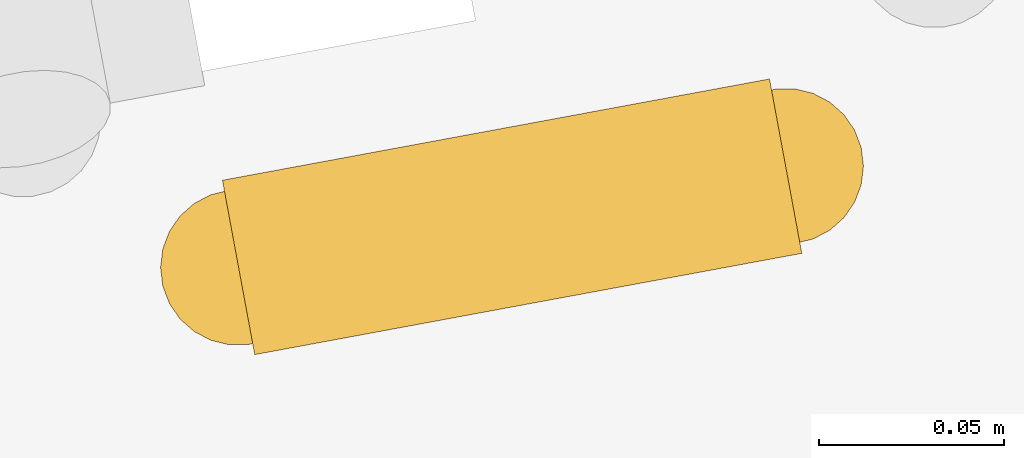
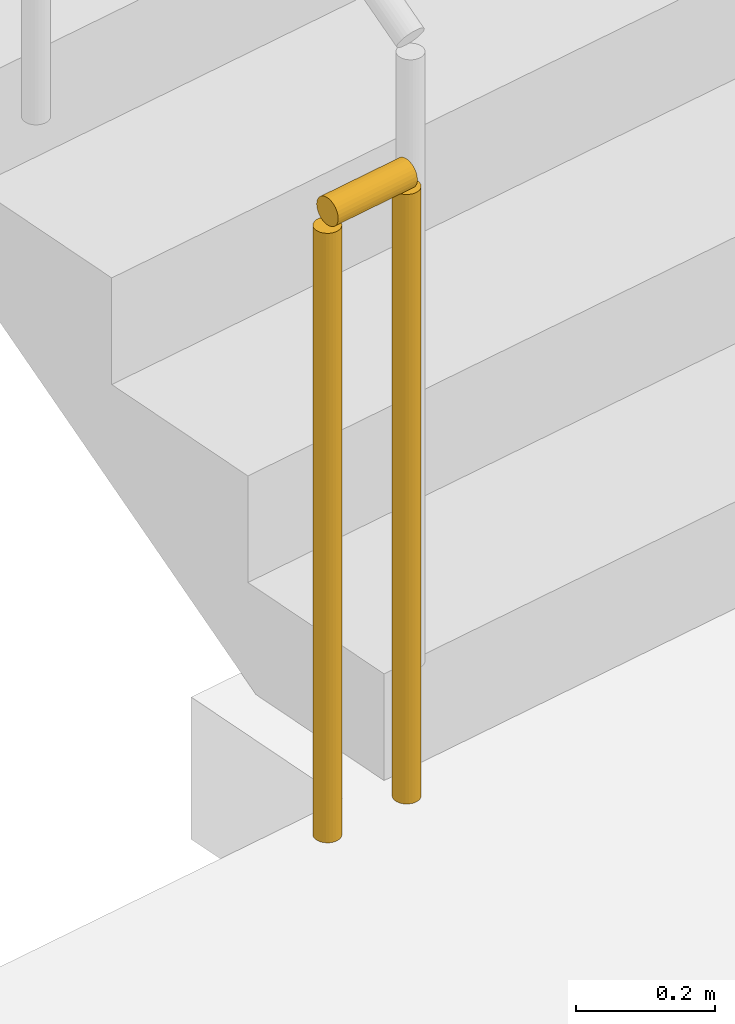
# One storey, part 116 of 141: 1 railing.
"""IFC4 building model written with IfcOpenShell, lengths in metres."""

from ifc_helpers import new_model, si_unit, direction, frame, origin, origin_2d, place, context, subcontext, project, spatial, circle, extrude, material, type_object, element, save


model = new_model("IFC4")

# Units and contexts
model_context = context("Model", 3, precision=1e-05, world=origin(), true_north=direction((0.0, 1.0)))
body_context = subcontext(model_context, "Body", "Model", "MODEL_VIEW")
ifc_project = project(units=[si_unit("LENGTHUNIT", "METRE"), si_unit("AREAUNIT", "SQUARE_METRE"), si_unit("VOLUMEUNIT", "CUBIC_METRE"), si_unit("PLANEANGLEUNIT", "RADIAN"), si_unit("MASSUNIT", "GRAM", prefix="KILO")], contexts=[model_context])

# Site, building, storey
site_placement = place(None, origin())
site = spatial("IfcSite", under=ifc_project, at=site_placement, CompositionType="ELEMENT")
building_placement = place(site_placement, origin())
building = spatial("IfcBuilding", under=site, at=building_placement, Name="Mphavela Belvedere Stadium", CompositionType="ELEMENT")
storey_placement = place(building_placement, frame((0.0, 0.0, 14.699951171875)))
storey = spatial("IfcBuildingStorey", under=building, at=storey_placement, Name="L03", CompositionType="ELEMENT", Elevation=14.699951171875)

# Railing
ifc_material = material(Name="Painted galvanised steel stair guardrail", Category="steel")
railing_type = type_object("IfcRailingType", Name="RAL-GUARD-1120", PredefinedType="GUARDRAIL", material=ifc_material)
railing_placement = place(storey_placement, frame((18.22998046875, 62.853271484375, 0.0)))
element("IfcRailing", 1, at=railing_placement, inside=storey, type_object=railing_type, Name="L03 ST-C09 stair guard 4", PredefinedType="GUARDRAIL", context=body_context, shape_type="SweptSolid", body=[
    extrude(circle(Radius=0.02392578125, at=origin_2d()), frame((0.0, 0.0, 1.09619140625), z_axis=(-0.983292780963, -0.182031060277, 0.0), x_axis=(0.182031060277, -0.983292780963, 0.0)), (0.0, 0.0, 1.0), 0.150146484375),
    extrude(circle(Radius=0.02099609375, at=origin_2d()), origin(), (0.0, 0.0, 1.0), 1.072021484375),
    extrude(circle(Radius=0.02099609375, at=origin_2d()), frame((-0.147705078125, -0.02734375, 0.0)), (0.0, 0.0, 1.0), 1.072021484375),
])

save(model, "model.ifc")
